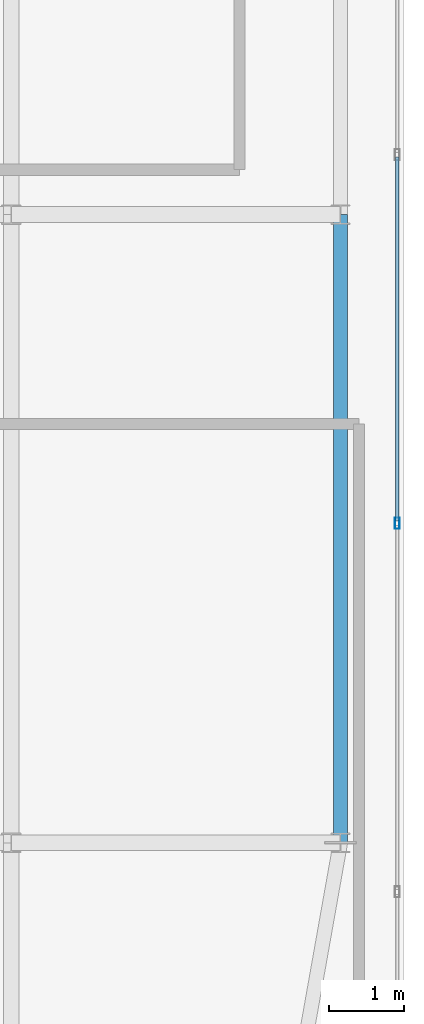
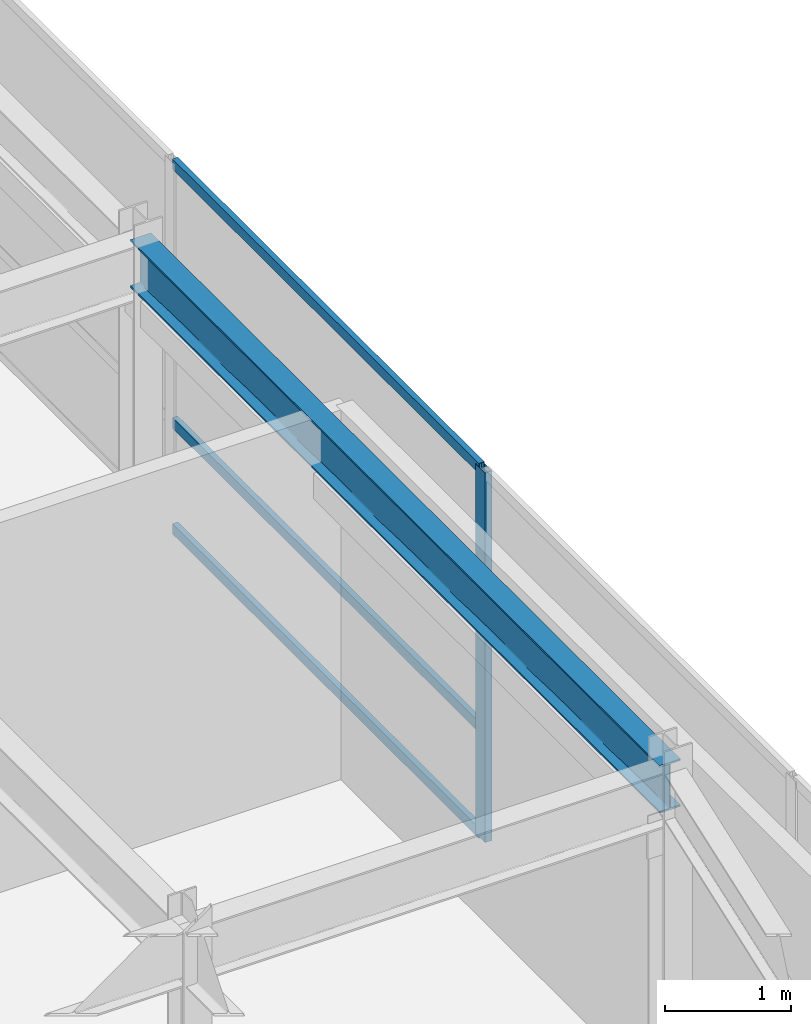
# One storey, part 22 of 36: 4 members, 1 beam, 1 element without a shape of its own.
"""IFC4 building model written with IfcOpenShell, lengths in metres."""

import ifcopenshell
import ifcopenshell.guid

model = None  # the IFC model being written
_history = None  # IfcOwnerHistory: only IFC2X3 demands one
_inside = {}  # id of a spatial element -> (the spatial element, [elements in it])
_under = {}  # id of a project, library or spatial element -> (it, [spatial elements below it])
_declared = {}  # id of a project -> (the project, [libraries it declares])
_typed = {}  # id of a type object -> (the type object, [elements of that type])
_made_of = {}  # id of a material, layer set ... -> (it, [elements and type objects made of it])


def new_model(schema):
    """Start an empty IFC model of exactly this schema.

    Asked for "IFC4X3", IfcOpenShell would pick the latest addendum, in which some entities
    have other attributes; the version numbers below select the first issue.
    IFC2X3 requires an IfcOwnerHistory on every rooted entity: one is made here for all.
    """
    global model, _history
    if schema == "IFC4X3":
        model = ifcopenshell.file(schema_version=(4, 3, 0, 0))
    else:
        model = ifcopenshell.file(schema=schema)
    _inside.clear()
    _under.clear()
    _declared.clear()
    _typed.clear()
    _made_of.clear()
    _history = None
    if model.schema == "IFC2X3":
        org = make("IfcOrganization", Name="unknown")
        user = make(
            "IfcPersonAndOrganization",
            ThePerson=make("IfcPerson", FamilyName="unknown"),
            TheOrganization=org,
        )
        app = make(
            "IfcApplication",
            ApplicationDeveloper=org,
            Version="unknown",
            ApplicationFullName="unknown",
            ApplicationIdentifier="unknown",
        )
        _history = make(
            "IfcOwnerHistory",
            OwningUser=user,
            OwningApplication=app,
            ChangeAction="ADDED",
            CreationDate=0,
        )
    return model


def make(cls, **values):
    """One entity of the class cls with the attributes given. An attribute that is None is left unset."""
    return model.create_entity(
        cls, **{name: value for name, value in values.items() if value is not None}
    )


def rooted(cls, **values):
    """An entity with a GlobalId (a new one), such as an element, a storey or a relation."""
    return make(cls, GlobalId=ifcopenshell.guid.new(), OwnerHistory=_history, **values)


def si_unit(unit_type, name, prefix=None):
    """IfcSIUnit, for example si_unit("LENGTHUNIT", "METRE", prefix="MILLI")."""
    return make("IfcSIUnit", UnitType=unit_type, Prefix=prefix, Name=name)


def assignment(units):
    """IfcUnitAssignment: the units of a project."""
    return None if units is None else make("IfcUnitAssignment", Units=units)


def point(xyz):
    """IfcCartesianPoint."""
    return None if xyz is None else make("IfcCartesianPoint", Coordinates=xyz)


def direction(xyz):
    """IfcDirection."""
    return None if xyz is None else make("IfcDirection", DirectionRatios=xyz)


def frame(location, z_axis=None, x_axis=None):
    """IfcAxis2Placement3D, a coordinate frame: its origin and axes. An axis left out is left unset."""
    return make(
        "IfcAxis2Placement3D",
        Location=point(location),
        Axis=direction(z_axis),
        RefDirection=direction(x_axis),
    )


def frame_2d(location, x_axis=None):
    """IfcAxis2Placement2D, a coordinate frame in the plane: its origin and x axis."""
    return make(
        "IfcAxis2Placement2D", Location=point(location), RefDirection=direction(x_axis)
    )


def origin():
    """The frame at (0, 0, 0) with its axes left unset."""
    return frame((0.0, 0.0, 0.0))


def origin_2d():
    """The frame at (0, 0) in the plane with its x axis left unset."""
    return frame_2d((0.0, 0.0))


def place(relative_to, where):
    """IfcLocalPlacement: puts the frame where relative to a parent placement (None: the world)."""
    return make(
        "IfcLocalPlacement", PlacementRelTo=relative_to, RelativePlacement=where
    )


def context(
    kind, dimensions, precision=None, world=None, true_north=None, identifier=None
):
    """IfcGeometricRepresentationContext, for example the 3D "Model" context."""
    return make(
        "IfcGeometricRepresentationContext",
        ContextIdentifier=identifier,
        ContextType=kind,
        CoordinateSpaceDimension=dimensions,
        Precision=precision,
        WorldCoordinateSystem=world,
        TrueNorth=true_north,
    )


def subcontext(parent, identifier, kind, view, scale=None):
    """IfcGeometricRepresentationSubContext, for example "Body" below "Model"."""
    return make(
        "IfcGeometricRepresentationSubContext",
        ContextIdentifier=identifier,
        ContextType=kind,
        ParentContext=parent,
        TargetScale=scale,
        TargetView=view,
    )


def project(units=None, contexts=None):
    """IfcProject with its units and contexts."""
    return rooted(
        "IfcProject",
        Name="project",
        RepresentationContexts=contexts,
        UnitsInContext=assignment(units),
    )


def spatial(cls, under=None, at=None, **own):
    """A site, building, storey or space (cls), placed at a placement, below another one or the project."""
    s = rooted(cls, ObjectPlacement=at, **own)
    if under is not None:
        _under.setdefault(under.id(), (under, []))[1].append(s)
    return s


def profile(cls, at=None, kind="AREA", **sizes):
    """A parametric profile (cls). Its sizes go by their IFC names, for example OverallWidth=200.0."""
    return make(cls, ProfileType=kind, Position=at, **sizes)


def hollow_rectangle(**sizes):
    """IfcRectangleHollowProfileDef."""
    return profile("IfcRectangleHollowProfileDef", **sizes)


def i_section(**sizes):
    """IfcIShapeProfileDef."""
    return profile("IfcIShapeProfileDef", **sizes)


def extrude(swept, where, along, depth):
    """IfcExtrudedAreaSolid: the profile swept, set in the frame where, extruded along a direction by depth."""
    return make(
        "IfcExtrudedAreaSolid",
        SweptArea=swept,
        Position=where,
        ExtrudedDirection=direction(along),
        Depth=depth,
    )


def shape(context_of_items, identifier, shape_type, items):
    """IfcShapeRepresentation: the items that make up one representation, for example the "Body"."""
    return make(
        "IfcShapeRepresentation",
        ContextOfItems=context_of_items,
        RepresentationIdentifier=identifier,
        RepresentationType=shape_type,
        Items=items,
    )


def source(mapping_origin, context_of_items, identifier, shape_type, items):
    """IfcRepresentationMap: a shape defined once, which mapped items show again and again."""
    return make(
        "IfcRepresentationMap",
        MappingOrigin=mapping_origin,
        MappedRepresentation=shape(context_of_items, identifier, shape_type, items),
    )


def transform(
    local_origin,
    x_axis=None,
    y_axis=None,
    z_axis=None,
    scale=None,
    scale2=None,
    scale3=None,
    uniform=True,
):
    """IfcCartesianTransformationOperator3D, or its non-uniform kind. x_axis, y_axis, z_axis: its Axis1, 2, 3."""
    if uniform:
        return make(
            "IfcCartesianTransformationOperator3D",
            Axis1=direction(x_axis),
            Axis2=direction(y_axis),
            LocalOrigin=point(local_origin),
            Scale=scale,
            Axis3=direction(z_axis),
        )
    return make(
        "IfcCartesianTransformationOperator3DnonUniform",
        Axis1=direction(x_axis),
        Axis2=direction(y_axis),
        LocalOrigin=point(local_origin),
        Scale=scale,
        Axis3=direction(z_axis),
        Scale2=scale2,
        Scale3=scale3,
    )


def mapped(mapping_source, mapping_target):
    """IfcMappedItem: shows the shape of a source again, moved by a transform."""
    return make(
        "IfcMappedItem", MappingSource=mapping_source, MappingTarget=mapping_target
    )


def material(Name=None, Category=None):
    """IfcMaterial."""
    return make("IfcMaterial", Name=Name, Category=Category)


def layer(
    of_material, thickness, ventilated=None, Name=None, Category=None, Priority=None
):
    """IfcMaterialLayer: one layer of a wall or slab, of a material (None: an air gap)."""
    return make(
        "IfcMaterialLayer",
        Material=of_material,
        LayerThickness=thickness,
        IsVentilated=ventilated,
        Name=Name,
        Category=Category,
        Priority=Priority,
    )


def layer_set(layers, Name=None):
    """IfcMaterialLayerSet."""
    return make("IfcMaterialLayerSet", MaterialLayers=layers, LayerSetName=Name)


def material_profile(
    of_material, cross_section, Name=None, Category=None, Priority=None
):
    """IfcMaterialProfile: a cross section and its material."""
    return make(
        "IfcMaterialProfile",
        Name=Name,
        Material=of_material,
        Profile=cross_section,
        Priority=Priority,
        Category=Category,
    )


def profile_set(profiles, Name=None, composite=None):
    """IfcMaterialProfileSet."""
    return make(
        "IfcMaterialProfileSet",
        Name=Name,
        MaterialProfiles=profiles,
        CompositeProfile=composite,
    )


def made_of(thing, what):
    """Note that an element or type object is made of a material, layer set ...; save() writes the relation."""
    if what is not None:
        _made_of.setdefault(what.id(), (what, []))[1].append(thing)
    return thing


def type_object(cls, material=None, **own):
    """A type object (cls), such as IfcWallType, which elements share."""
    return made_of(rooted(cls, **own), material)


def type_shapes(of_type, sources):
    """Give a type object the sources (RepresentationMaps) that its elements show as mapped items."""
    of_type.RepresentationMaps = sources


def element(
    cls,
    number,
    at=None,
    inside=None,
    cuts=None,
    type_object=None,
    material=None,
    context=None,
    identifier="Body",
    shape_type=None,
    held_by="IfcProductDefinitionShape",
    body=None,
    shapes=None,
    **own,
):
    """One element of the class cls, such as IfcWall. Its Tag is "e" and its number.

    at: its placement. inside: the storey or other place that contains it. cuts: it is an
    opening in that element (IfcRelVoidsElement). A single representation is given by context,
    identifier, shape_type and body (its items); several are given by shapes. held_by: the class
    of the entity that holds the representations. save() writes the other relations.
    """
    e = rooted(cls, Tag="e%d" % number, ObjectPlacement=at, **own)
    if body is not None:
        shapes = [shape(context, identifier, shape_type, body)]
    if shapes is not None:
        e.Representation = make(held_by, Representations=shapes)
    if inside is not None:
        _inside.setdefault(inside.id(), (inside, []))[1].append(e)
    if cuts is not None:
        rooted(
            "IfcRelVoidsElement", RelatingBuildingElement=cuts, RelatedOpeningElement=e
        )
    if type_object is not None:
        _typed.setdefault(type_object.id(), (type_object, []))[1].append(e)
    return made_of(e, material)


def aggregate(whole, parts):
    """IfcRelAggregates: a whole, such as a stair, and the parts it consists of."""
    return rooted("IfcRelAggregates", RelatingObject=whole, RelatedObjects=parts)


def save(model, path):
    """Write the relations noted so far, then the file.

    IfcRelAggregates (storeys below a building ...), IfcRelContainedInSpatialStructure (elements
    in a storey), IfcRelDefinesByType, IfcRelAssociatesMaterial and IfcRelDeclares: one each for
    every whole, place, type object, material and project.
    """
    for whole, parts in _under.values():
        aggregate(whole, parts)
    for where, things in _inside.values():
        rooted(
            "IfcRelContainedInSpatialStructure",
            RelatedElements=things,
            RelatingStructure=where,
        )
    for kind, things in _typed.values():
        rooted("IfcRelDefinesByType", RelatedObjects=things, RelatingType=kind)
    for what, things in _made_of.values():
        rooted("IfcRelAssociatesMaterial", RelatedObjects=things, RelatingMaterial=what)
    for by, libraries in _declared.values():
        rooted("IfcRelDeclares", RelatingContext=by, RelatedDefinitions=libraries)
    model.write(path)


model = new_model("IFC4")

# Units and contexts
model_context = context("Model", 3, precision=1e-05, world=origin(), true_north=direction((0.0, 1.0)))
body_context = subcontext(model_context, "Body", "Model", "MODEL_VIEW")
ifc_project = project(units=[si_unit("LENGTHUNIT", "METRE"), si_unit("AREAUNIT", "SQUARE_METRE"), si_unit("VOLUMEUNIT", "CUBIC_METRE"), si_unit("PLANEANGLEUNIT", "RADIAN"), si_unit("MASSUNIT", "GRAM", prefix="KILO")], contexts=[model_context])

# Site, building, storey
site_placement = place(None, origin())
site = spatial("IfcSite", under=ifc_project, at=site_placement, CompositionType="ELEMENT")
building_placement = place(site_placement, origin())
building = spatial("IfcBuilding", under=site, at=building_placement, Name="Tolvann Quenvar Hotel", CompositionType="ELEMENT")
storey_placement = place(building_placement, frame((0.0, 0.0, 298.550048828125)))
storey = spatial("IfcBuildingStorey", under=building, at=storey_placement, Name="L79", CompositionType="ELEMENT", Elevation=298.550048828125)

# Beam
ifc_material_1 = material(Name="Steel Grade 350", Category="steel")
ifc_material_profile_1 = material_profile(ifc_material_1, i_section(OverallWidth=0.19091796875, OverallDepth=0.4599609375, WebThickness=0.010009765625, FlangeThickness=0.01611328125, FilletRadius=0.011474609375, at=origin_2d()), Name="460UB82")
ifc_profile_set_1 = profile_set([ifc_material_profile_1], Name="Steel Grade 350")
beam_type = type_object("IfcBeamType", Name="BM_SPAND_460UB82", PredefinedType="SPANDREL", material=ifc_profile_set_1)
shared_shape_1 = source(origin(), body_context, "Body", "SweptSolid", [
    extrude(i_section(OverallWidth=0.19091796875, OverallDepth=0.4599609375, WebThickness=0.010009765625, FlangeThickness=0.01611328125, FilletRadius=0.011474609375, at=origin_2d()), origin(), (0.0, 0.0, 1.0), 8.39990234375),
])
type_shapes(beam_type, [shared_shape_1])
beam_placement = place(storey_placement, frame((37.14990234375, 16.0, 3.349853515625), z_axis=(0.0, 1.0, 0.0), x_axis=(-1.0, 0.0, 0.0)))
element("IfcBeam", 1, at=beam_placement, inside=storey, type_object=beam_type, Name="BM-L79-NS-G4-G5", PredefinedType="SPANDREL", context=body_context, shape_type="MappedRepresentation", body=[
    mapped(shared_shape_1, transform((0.0, 0.0, 0.0), x_axis=(1.0, 0.0, 0.0), y_axis=(0.0, 1.0, 0.0), z_axis=(0.0, 0.0, 1.0), scale=1.0)),
])

# Curtain wall, members
ifc_material_2 = material(Name="Thermally broken anodised architectural aluminium 6063-T6 and laminated low-E glass", Category="aluminium")
ifc_layer = layer(ifc_material_2, 0.179931640625)
ifc_layer_set = layer_set([ifc_layer], Name="Thermally broken anodised architectural aluminium 6063-T6 and laminated low-E glass")
curtain_wall_type = type_object("IfcCurtainWallType", Name="CW_SYS_LANT_06", PredefinedType="USERDEFINED", material=ifc_layer_set)
curtain_wall_placement = place(storey_placement, origin())
curtain_wall = element("IfcCurtainWall", 2, at=curtain_wall_placement, inside=storey, type_object=curtain_wall_type, Name="Curtain Wall CW-LANT-06 (CWR-L79-E09)", ObjectType="UNITISED CURTAIN WALL", PredefinedType="USERDEFINED")
ifc_material_3 = material(Name="Anodised architectural aluminium 6063-T6 framing", Category="aluminium")
ifc_material_profile_2 = material_profile(ifc_material_3, hollow_rectangle(XDim=0.050048828125, YDim=0.10009765625, WallThickness=0.0029296875, at=origin_2d()), Name="100x50x3RHS")
ifc_profile_set_2 = profile_set([ifc_material_profile_2], Name="Anodised architectural aluminium 6063-T6 framing")
member_type_1 = type_object("IfcMemberType", Name="CW_TRAN_100x50", PredefinedType="USERDEFINED", material=ifc_profile_set_2)
shared_shape_2 = source(origin(), body_context, "Body", "SweptSolid", [
    extrude(hollow_rectangle(XDim=0.050048828125, YDim=0.10009765625, WallThickness=0.0029296875, at=origin_2d()), origin(), (0.0, 0.0, 1.0), 4.862548828125),
])
type_shapes(member_type_1, [shared_shape_2])
member_1_placement = place(storey_placement, frame((37.909912109375, 20.304931640625, 0.02490234375), z_axis=(0.0, 1.0, 0.0), x_axis=(-1.0, 0.0, 0.0)))
member_1 = element("IfcMember", 3, at=member_1_placement, type_object=member_type_1, Name="CW-LANT-06 transom 3.1", ObjectType="TRANSOM", PredefinedType="USERDEFINED", context=body_context, shape_type="MappedRepresentation", body=[
    mapped(shared_shape_2, transform((0.0, 0.0, 0.0), x_axis=(1.0, 0.0, 0.0), y_axis=(0.0, 1.0, 0.0), z_axis=(0.0, 0.0, 1.0), scale=1.0)),
])
member_2_placement = place(storey_placement, frame((37.909912109375, 20.304931640625, 1.050048828125), z_axis=(0.0, 1.0, 0.0), x_axis=(-1.0, 0.0, 0.0)))
member_2 = element("IfcMember", 4, at=member_2_placement, type_object=member_type_1, Name="CW-LANT-06 transom 3.2", ObjectType="TRANSOM", PredefinedType="USERDEFINED", context=body_context, shape_type="MappedRepresentation", body=[
    mapped(shared_shape_2, transform((0.0, 0.0, 0.0), x_axis=(1.0, 0.0, 0.0), y_axis=(0.0, 1.0, 0.0), z_axis=(0.0, 0.0, 1.0), scale=1.0)),
])
member_3_placement = place(storey_placement, frame((37.909912109375, 20.304931640625, 3.554931640625), z_axis=(0.0, 1.0, 0.0), x_axis=(-1.0, 0.0, 0.0)))
member_3 = element("IfcMember", 5, at=member_3_placement, type_object=member_type_1, Name="CW-LANT-06 transom 3.3", ObjectType="TRANSOM", PredefinedType="USERDEFINED", context=body_context, shape_type="MappedRepresentation", body=[
    mapped(shared_shape_2, transform((0.0, 0.0, 0.0), x_axis=(1.0, 0.0, 0.0), y_axis=(0.0, 1.0, 0.0), z_axis=(0.0, 0.0, 1.0), scale=1.0)),
])
ifc_material_profile_3 = material_profile(ifc_material_3, hollow_rectangle(XDim=0.06494140625, YDim=0.14990234375, WallThickness=0.00390625, at=origin_2d()), Name="150x65x4RHS")
ifc_profile_set_3 = profile_set([ifc_material_profile_3], Name="Anodised architectural aluminium 6063-T6 framing")
member_type_2 = type_object("IfcMemberType", Name="CW_MULL_150x65", PredefinedType="MULLION", material=ifc_profile_set_3)
shared_shape_3 = source(origin(), body_context, "Body", "SweptSolid", [
    extrude(hollow_rectangle(XDim=0.06494140625, YDim=0.14990234375, WallThickness=0.00390625, at=origin_2d()), origin(), (0.0, 0.0, 1.0), 3.579833984375),
])
type_shapes(member_type_2, [shared_shape_3])
member_4_placement = place(storey_placement, frame((37.909912109375, 20.2724609375, 0.0), z_axis=(0.0, 0.0, 1.0), x_axis=(-1.0, 0.0, 0.0)))
member_4 = element("IfcMember", 6, at=member_4_placement, type_object=member_type_2, Name="CW-LANT-06 mullion 3", PredefinedType="MULLION", context=body_context, shape_type="MappedRepresentation", body=[
    mapped(shared_shape_3, transform((0.0, 0.0, 0.0), x_axis=(1.0, 0.0, 0.0), y_axis=(0.0, 1.0, 0.0), z_axis=(0.0, 0.0, 1.0), scale=1.0)),
])
aggregate(curtain_wall, [member_4, member_1, member_2, member_3])

save(model, "model.ifc")
